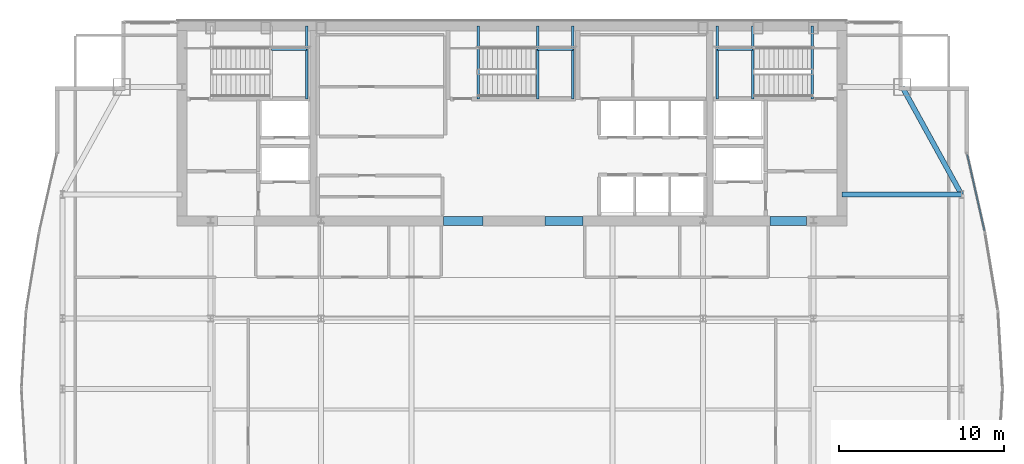
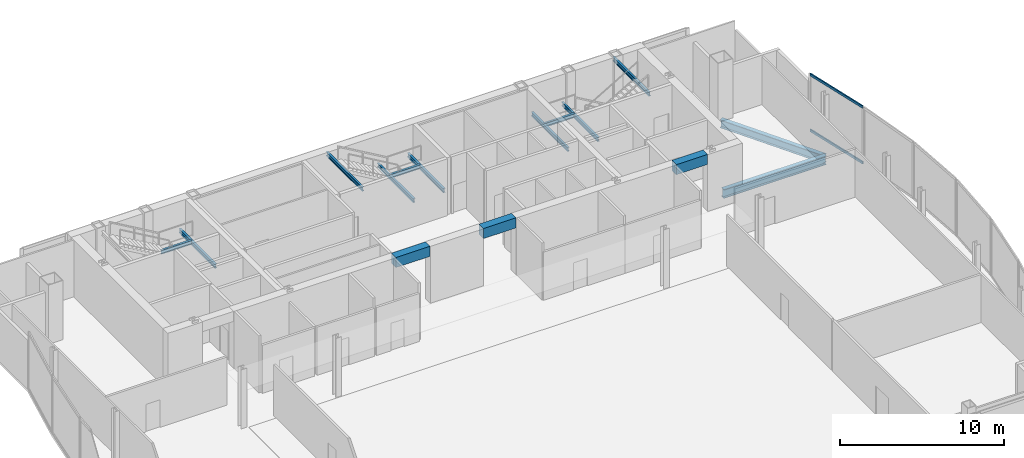
# One storey, part 21 of 28: 15 beams, 2 members, 1 element without a shape of its own.
"""IFC4 building model written with IfcOpenShell, lengths in metres."""

from ifc_helpers import new_model, si_unit, direction, frame, origin, origin_2d, place, context, subcontext, project, spatial, rectangle, hollow_rectangle, i_section, extrude, material, material_profile, profile_set, type_object, element, aggregate, save


model = new_model("IFC4")

# Units and contexts
model_context = context("Model", 3, precision=1e-05, world=origin(), true_north=direction((0.0, 1.0)))
body_context = subcontext(model_context, "Body", "Model", "MODEL_VIEW")
ifc_project = project(units=[si_unit("LENGTHUNIT", "METRE"), si_unit("AREAUNIT", "SQUARE_METRE"), si_unit("VOLUMEUNIT", "CUBIC_METRE"), si_unit("PLANEANGLEUNIT", "RADIAN"), si_unit("MASSUNIT", "GRAM", prefix="KILO")], contexts=[model_context])

# Site, building, storey
site_placement = place(None, origin())
site = spatial("IfcSite", under=ifc_project, at=site_placement, CompositionType="ELEMENT")
building_placement = place(site_placement, origin())
building = spatial("IfcBuilding", under=site, at=building_placement, Name="Khoronbel Lancet Exchange", CompositionType="ELEMENT")
storey_placement = place(building_placement, frame((0.0, 0.0, 265.39990234375)))
storey = spatial("IfcBuildingStorey", under=building, at=storey_placement, Name="L68", CompositionType="ELEMENT", Elevation=265.39990234375)

# Beams
ifc_material_1 = material(Name="Steel S355", Category="steel")
ifc_material_profile_1 = material_profile(ifc_material_1, i_section(OverallWidth=0.300048828125, OverallDepth=0.64990234375, WebThickness=0.01611328125, FlangeThickness=0.031005859375, at=origin_2d()), Name="HEB 650")
ifc_profile_set_1 = profile_set([ifc_material_profile_1], Name="Steel S355")
beam_type_1 = type_object("IfcBeamType", Name="BM-BG4", PredefinedType="BEAM", material=ifc_profile_set_1)
beam_1_placement = place(storey_placement, frame((56.39990234375, 43.199951171875, -0.52490234375), z_axis=(1.0, 0.0, 0.0), x_axis=(0.0, 1.0, 0.0)))
element("IfcBeam", 1, at=beam_1_placement, inside=storey, type_object=beam_type_1, Name="Level L68 east lens tie girder LG3E", PredefinedType="BEAM", context=body_context, shape_type="SweptSolid", body=[
    extrude(i_section(OverallWidth=0.300048828125, OverallDepth=0.64990234375, WebThickness=0.01611328125, FlangeThickness=0.031005859375, at=origin_2d()), origin(), (0.0, 0.0, 1.0), 7.22998046875),
])
ifc_material_profile_2 = material_profile(ifc_material_1, i_section(OverallWidth=0.14990234375, OverallDepth=0.300048828125, WebThickness=0.007080078125, FlangeThickness=0.0107421875, at=origin_2d()), Name="IPE 300")
ifc_profile_set_2 = profile_set([ifc_material_profile_2], Name="Steel S355")
beam_type_2 = type_object("IfcBeamType", Name="BM-BJ8", PredefinedType="JOIST", material=ifc_profile_set_2)
beam_2_placement = place(storey_placement, frame((24.030029296875, 48.97998046875, 1.85009765625), z_axis=(0.0, 1.0, 0.0), x_axis=(-1.0, 0.0, 0.0)))
element("IfcBeam", 2, at=beam_2_placement, inside=storey, type_object=beam_type_2, Name="Level L68 stair ST1 rear landing bearer beam 1", PredefinedType="JOIST", context=body_context, shape_type="SweptSolid", body=[
    extrude(i_section(OverallWidth=0.14990234375, OverallDepth=0.300048828125, WebThickness=0.007080078125, FlangeThickness=0.0107421875, at=origin_2d()), origin(), (0.0, 0.0, 1.0), 4.419921875),
])
beam_3_placement = place(storey_placement, frame((21.89990234375, 51.97998046875, 1.85009765625), z_axis=(1.0, 0.0, 0.0), x_axis=(0.0, 1.0, 0.0)))
element("IfcBeam", 3, at=beam_3_placement, inside=storey, type_object=beam_type_2, Name="Level L68 stair ST1 landing cross trimmer beam 1", PredefinedType="JOIST", context=body_context, shape_type="SweptSolid", body=[
    extrude(i_section(OverallWidth=0.14990234375, OverallDepth=0.300048828125, WebThickness=0.007080078125, FlangeThickness=0.0107421875, at=origin_2d()), origin(), (0.0, 0.0, 1.0), 2.130126953125),
])
for number, where, z_axis, x_axis, name in (
    (4, (51.0, 48.97998046875, 1.85009765625), (0.0, 1.0, 0.0), (-1.0, 0.0, 0.0), "Level L68 stair ST2 landing bearer beam 1"),
    (5, (48.8701171875, 48.97998046875, 1.85009765625), (0.0, 1.0, 0.0), (-1.0, 0.0, 0.0), "Level L68 stair ST2 rear landing bearer beam 1"),
):
    element("IfcBeam", number, at=place(storey_placement, frame(where, z_axis=z_axis, x_axis=x_axis)), inside=storey, type_object=beam_type_2, Name=name, PredefinedType="JOIST", context=body_context, shape_type="SweptSolid", body=[
        extrude(i_section(OverallWidth=0.14990234375, OverallDepth=0.300048828125, WebThickness=0.007080078125, FlangeThickness=0.0107421875, at=origin_2d()), origin(), (0.0, 0.0, 1.0), 4.419921875),
    ])
beam_4_placement = place(storey_placement, frame((48.8701171875, 51.97998046875, 1.85009765625), z_axis=(1.0, 0.0, 0.0), x_axis=(0.0, 1.0, 0.0)))
element("IfcBeam", 6, at=beam_4_placement, inside=storey, type_object=beam_type_2, Name="Level L68 stair ST2 landing cross trimmer beam 1", PredefinedType="JOIST", context=body_context, shape_type="SweptSolid", body=[
    extrude(i_section(OverallWidth=0.14990234375, OverallDepth=0.300048828125, WebThickness=0.007080078125, FlangeThickness=0.0107421875, at=origin_2d()), origin(), (0.0, 0.0, 1.0), 2.1298828125),
])
for number, where, z_axis, x_axis, name in (
    (7, (54.60009765625, 48.97998046875, 3.960205078125), (0.0, 1.0, 0.0), (-1.0, 0.0, 0.0), "Level L68 stair ST2 upper-flight arrival trimmer beam"),
    (8, (38.0, 48.97998046875, 1.85009765625), (0.0, 1.0, 0.0), (-1.0, 0.0, 0.0), "Level L68 stair ST3 landing bearer beam 1"),
    (9, (40.1298828125, 48.97998046875, 1.85009765625), (0.0, 1.0, 0.0), (-1.0, 0.0, 0.0), "Level L68 stair ST3 rear landing bearer beam 1"),
):
    element("IfcBeam", number, at=place(storey_placement, frame(where, z_axis=z_axis, x_axis=x_axis)), inside=storey, type_object=beam_type_2, Name=name, PredefinedType="JOIST", context=body_context, shape_type="SweptSolid", body=[
        extrude(i_section(OverallWidth=0.14990234375, OverallDepth=0.300048828125, WebThickness=0.007080078125, FlangeThickness=0.0107421875, at=origin_2d()), origin(), (0.0, 0.0, 1.0), 4.419921875),
    ])
beam_5_placement = place(storey_placement, frame((38.0, 51.97998046875, 1.85009765625), z_axis=(1.0, 0.0, 0.0), x_axis=(0.0, 1.0, 0.0)))
element("IfcBeam", 10, at=beam_5_placement, inside=storey, type_object=beam_type_2, Name="Level L68 stair ST3 landing cross trimmer beam 1", PredefinedType="JOIST", context=body_context, shape_type="SweptSolid", body=[
    extrude(i_section(OverallWidth=0.14990234375, OverallDepth=0.300048828125, WebThickness=0.007080078125, FlangeThickness=0.0107421875, at=origin_2d()), origin(), (0.0, 0.0, 1.0), 2.1298828125),
])
beam_6_placement = place(storey_placement, frame((34.39990234375, 48.97998046875, 3.960205078125), z_axis=(0.0, 1.0, 0.0), x_axis=(-1.0, 0.0, 0.0)))
element("IfcBeam", 11, at=beam_6_placement, inside=storey, type_object=beam_type_2, Name="Level L68 stair ST3 upper-flight arrival trimmer beam", PredefinedType="JOIST", context=body_context, shape_type="SweptSolid", body=[
    extrude(i_section(OverallWidth=0.14990234375, OverallDepth=0.300048828125, WebThickness=0.007080078125, FlangeThickness=0.0107421875, at=origin_2d()), origin(), (0.0, 0.0, 1.0), 4.419921875),
])
ifc_material_2 = material(Name="Concrete C60/75", Category="concrete")
ifc_material_profile_3 = material_profile(ifc_material_2, rectangle(XDim=0.550048828125, YDim=0.75, at=origin_2d()), Name="RC 550x750")
ifc_profile_set_3 = profile_set([ifc_material_profile_3], Name="Concrete C60/75")
beam_type_3 = type_object("IfcBeamType", Name="BM-BL2", PredefinedType="LINTEL", material=ifc_profile_set_3)
beam_7_placement = place(storey_placement, frame((32.300048828125, 41.60009765625, 3.864990234375), z_axis=(1.0, 0.0, 0.0), x_axis=(0.0, 1.0, 0.0)))
element("IfcBeam", 12, at=beam_7_placement, inside=storey, type_object=beam_type_3, Name="Level L68 rear core coupling lintel L2", PredefinedType="LINTEL", context=body_context, shape_type="SweptSolid", body=[
    extrude(rectangle(XDim=0.550048828125, YDim=0.75, at=origin_2d()), origin(), (0.0, 0.0, 1.0), 2.39990234375),
])
beam_8_placement = place(storey_placement, frame((38.449951171875, 41.60009765625, 3.864990234375), z_axis=(1.0, 0.0, 0.0), x_axis=(0.0, 1.0, 0.0)))
element("IfcBeam", 13, at=beam_8_placement, inside=storey, type_object=beam_type_3, Name="Level L68 rear core coupling lintel L3", PredefinedType="LINTEL", context=body_context, shape_type="SweptSolid", body=[
    extrude(rectangle(XDim=0.550048828125, YDim=0.75, at=origin_2d()), origin(), (0.0, 0.0, 1.0), 2.300048828125),
])
beam_9_placement = place(storey_placement, frame((52.050048828125, 41.60009765625, 3.864990234375), z_axis=(1.0, 0.0, 0.0), x_axis=(0.0, 1.0, 0.0)))
element("IfcBeam", 14, at=beam_9_placement, inside=storey, type_object=beam_type_3, Name="Level L68 rear core coupling lintel L4", PredefinedType="LINTEL", context=body_context, shape_type="SweptSolid", body=[
    extrude(rectangle(XDim=0.550048828125, YDim=0.75, at=origin_2d()), origin(), (0.0, 0.0, 1.0), 2.199951171875),
])
ifc_material_profile_4 = material_profile(ifc_material_1, i_section(OverallWidth=0.300048828125, OverallDepth=0.60009765625, WebThickness=0.015380859375, FlangeThickness=0.030029296875, at=origin_2d()), Name="HEB 600")
ifc_profile_set_4 = profile_set([ifc_material_profile_4], Name="Steel S355")
beam_type_4 = type_object("IfcBeamType", Name="BM-BSP2", PredefinedType="SPANDREL", material=ifc_profile_set_4)
beam_10_placement = place(storey_placement, frame((63.6298828125, 43.199951171875, -0.5), z_axis=(-0.482418808117, 0.875940690672, 0.0), x_axis=(-0.875940690672, -0.482418808117, 0.0)))
element("IfcBeam", 15, at=beam_10_placement, inside=storey, type_object=beam_type_4, Name="Level L68 perimeter spandrel beam SP15", PredefinedType="SPANDREL", context=body_context, shape_type="SweptSolid", body=[
    extrude(i_section(OverallWidth=0.300048828125, OverallDepth=0.60009765625, WebThickness=0.015380859375, FlangeThickness=0.030029296875, at=origin_2d()), origin(), (0.0, 0.0, 1.0), 7.420654296875),
])

# Curtain wall, members
ifc_material_3 = material(Name="Low-E Solar Control Insulating Glass", Category="glass")
curtain_wall_type = type_object("IfcCurtainWallType", Name="CW-4", PredefinedType="NOTDEFINED", material=ifc_material_3)
curtain_wall_placement = place(storey_placement, origin())
curtain_wall = element("IfcCurtainWall", 16, at=curtain_wall_placement, inside=storey, type_object=curtain_wall_type, Name="Unitised curtain wall CW-L68-E17", PredefinedType="NOTDEFINED")
ifc_material_4 = material(Name="Bronze-Anodised Aluminium 6063-T6", Category="aluminium")
ifc_material_profile_5 = material_profile(ifc_material_4, hollow_rectangle(XDim=0.0849609375, YDim=0.179931640625, WallThickness=0.0048828125, at=origin_2d()), Name="ALU TRANSOM 85x180")
ifc_profile_set_5 = profile_set([ifc_material_profile_5], Name="Bronze-Anodised Aluminium 6063-T6")
member_type = type_object("IfcMemberType", Name="MEM-CWT1", PredefinedType="USERDEFINED", material=ifc_profile_set_5)
member_1_placement = place(storey_placement, frame((63.9765625, 45.61669921875, 0.04248046875), z_axis=(0.220723693805, -0.975336378381, 0.0), x_axis=(0.975336378381, 0.220723693805, 0.0)))
member_1 = element("IfcMember", 17, at=member_1_placement, type_object=member_type, Name="CW4 transom 1.1", ObjectType="TRANSOM", PredefinedType="USERDEFINED", context=body_context, shape_type="SweptSolid", body=[
    extrude(hollow_rectangle(XDim=0.0849609375, YDim=0.179931640625, WallThickness=0.0048828125, at=origin_2d()), origin(), (0.0, 0.0, 1.0), 4.7275390625),
])
member_2_placement = place(storey_placement, frame((63.9765625, 45.61669921875, 4.197509765625), z_axis=(0.220723693805, -0.975336378381, 0.0), x_axis=(0.975336378381, 0.220723693805, 0.0)))
member_2 = element("IfcMember", 18, at=member_2_placement, type_object=member_type, Name="CW4 transom 1.2", ObjectType="TRANSOM", PredefinedType="USERDEFINED", context=body_context, shape_type="SweptSolid", body=[
    extrude(hollow_rectangle(XDim=0.0849609375, YDim=0.179931640625, WallThickness=0.0048828125, at=origin_2d()), origin(), (0.0, 0.0, 1.0), 4.7275390625),
])
aggregate(curtain_wall, [member_1, member_2])

save(model, "model.ifc")
